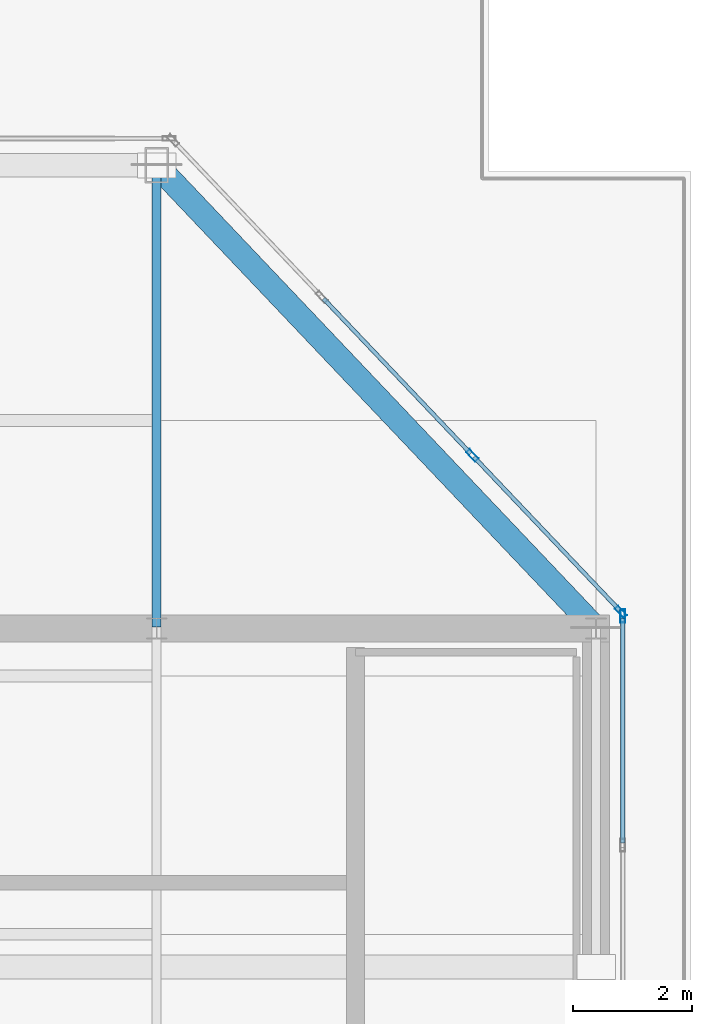
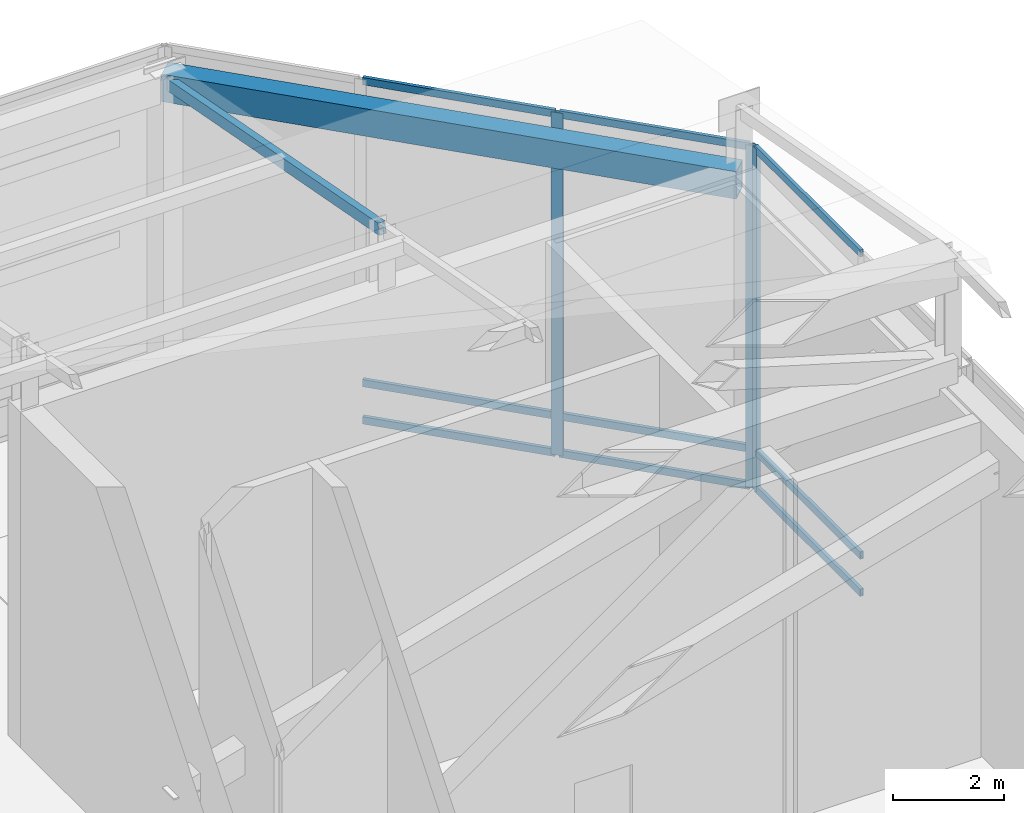
# One storey, part 16 of 25: 13 members, 1 beam, 2 elements without a shape of their own.
"""IFC4 building model written with IfcOpenShell, lengths in metres."""

from ifc_helpers import new_model, si_unit, direction, frame, origin, origin_2d, place, context, subcontext, project, spatial, hollow_rectangle, extrude, source, transform, mapped, material, layer, layer_set, material_profile, profile_set, type_object, type_shapes, element, aggregate, save


model = new_model("IFC4")

# Units and contexts
model_context = context("Model", 3, precision=1e-05, world=origin(), true_north=direction((0.0, 1.0)))
body_context = subcontext(model_context, "Body", "Model", "MODEL_VIEW")
ifc_project = project(units=[si_unit("LENGTHUNIT", "METRE"), si_unit("AREAUNIT", "SQUARE_METRE"), si_unit("VOLUMEUNIT", "CUBIC_METRE"), si_unit("PLANEANGLEUNIT", "RADIAN"), si_unit("MASSUNIT", "GRAM", prefix="KILO")], contexts=[model_context])

# Site, building, storey
site_placement = place(None, origin())
site = spatial("IfcSite", under=ifc_project, at=site_placement, CompositionType="ELEMENT")
building_placement = place(site_placement, origin())
building = spatial("IfcBuilding", under=site, at=building_placement, Name="Haelvirn Gate Laboratories", CompositionType="ELEMENT")
storey_placement = place(building_placement, frame((0.0, 0.0, 337.800048828125)))
storey = spatial("IfcBuildingStorey", under=building, at=storey_placement, Name="RF", CompositionType="ELEMENT", Elevation=337.800048828125)

# Beam
ifc_material_1 = material(Name="Steel SM420", Category="steel")
ifc_material_profile_1 = material_profile(ifc_material_1, hollow_rectangle(XDim=0.39990234375, YDim=0.60009765625, WallThickness=0.02490234375, at=origin_2d()), Name="BOX-600x400x25")
ifc_profile_set_1 = profile_set([ifc_material_profile_1], Name="Steel SM420")
beam_type = type_object("IfcBeamType", Name="BM-CROWN-CAP", PredefinedType="USERDEFINED", material=ifc_profile_set_1)
shared_shape_1 = source(origin(), body_context, "Body", "SweptSolid", [
    extrude(hollow_rectangle(XDim=0.39990234375, YDim=0.60009765625, WallThickness=0.02490234375, at=origin_2d()), origin(), (0.0, 0.0, 1.0), 10.751708984375),
])
type_shapes(beam_type, [shared_shape_1])
beam_placement = place(storey_placement, frame((67.39990234375, 33.800048828125, 7.050048828125), z_axis=(-0.688253384031, 0.725470384902, 0.0), x_axis=(-0.725470384902, -0.688253384031, 0.0)))
element("IfcBeam", 1, at=beam_placement, inside=storey, type_object=beam_type, Name="RF Crown Frame Cap Ring Beam E4-N7", ObjectType="CROWN FRAME", PredefinedType="USERDEFINED", context=body_context, shape_type="MappedRepresentation", body=[
    mapped(shared_shape_1, transform((0.0, 0.0, 0.0), scale=1.0)),
])

# Member
ifc_material_2 = material(Name="Steel SM355", Category="steel")
ifc_material_profile_2 = material_profile(ifc_material_2, hollow_rectangle(XDim=0.14990234375, YDim=0.25, WallThickness=0.010009765625, at=origin_2d()), Name="RHS-250x150x10")
ifc_profile_set_2 = profile_set([ifc_material_profile_2], Name="Steel SM355")
member_type_1 = type_object("IfcMemberType", Name="MEM-CROWN-RAF", PredefinedType="RAFTER", material=ifc_profile_set_2)
shared_shape_2 = source(origin(), body_context, "Body", "SweptSolid", [
    extrude(hollow_rectangle(XDim=0.14990234375, YDim=0.25, WallThickness=0.010009765625, at=origin_2d()), origin(), (0.0, 0.0, 1.0), 7.9375),
])
type_shapes(member_type_1, [shared_shape_2])
member_1_placement = place(storey_placement, frame((60.0, 33.800048828125, 8.571044921875), z_axis=(0.0, 0.982673493777, -0.185345096044), x_axis=(-1.0, 0.0, 0.0)))
element("IfcMember", 2, at=member_1_placement, inside=storey, type_object=member_type_1, Name="RF Vault Rafter Chord X60.0-5", PredefinedType="RAFTER", context=body_context, shape_type="MappedRepresentation", body=[
    mapped(shared_shape_2, transform((0.0, 0.0, 0.0), scale=1.0)),
])

# Curtain wall, member
ifc_material_3 = material(Name="Anodised bronze unitised aluminium & triple low-E glass", Category="aluminium")
ifc_layer = layer(ifc_material_3, 0.19189453125, Name="CW-SYS-6")
ifc_layer_set = layer_set([ifc_layer], Name="Anodised bronze unitised aluminium & triple low-E glass")
curtain_wall_type = type_object("IfcCurtainWallType", Name="CW-SYS-6", PredefinedType="NOTDEFINED", material=ifc_layer_set)
curtain_wall_1_placement = place(storey_placement, origin())
curtain_wall_1 = element("IfcCurtainWall", 3, at=curtain_wall_1_placement, inside=storey, type_object=curtain_wall_type, Name="RF Unitised Curtain Wall CW-RF-RING-02", PredefinedType="NOTDEFINED")
ifc_material_4 = material(Name="Extruded aluminium 6063-T6 (anodised bronze)", Category="aluminium")
ifc_material_profile_3 = material_profile(ifc_material_4, hollow_rectangle(XDim=0.080078125, YDim=0.219970703125, WallThickness=0.006103515625, at=origin_2d()), Name="CWM-220x80x6")
ifc_profile_set_3 = profile_set([ifc_material_profile_3], Name="Extruded aluminium 6063-T6 (anodised bronze)")
member_type_2 = type_object("IfcMemberType", Name="CWM-T220", PredefinedType="MULLION", material=ifc_profile_set_3)
shared_shape_3 = source(origin(), body_context, "Body", "SweptSolid", [
    extrude(hollow_rectangle(XDim=0.080078125, YDim=0.219970703125, WallThickness=0.006103515625, at=origin_2d()), origin(), (0.0, 0.0, 1.0), 7.5),
])
type_shapes(member_type_2, [shared_shape_3])
member_2_placement = place(storey_placement, frame((67.85009765625, 34.010009765625, 0.0), z_axis=(0.0, 0.0, 1.0), x_axis=(-1.0, 0.0, 0.0)))
member_2 = element("IfcMember", 4, at=member_2_placement, type_object=member_type_2, Name="CW6 mullion 6", PredefinedType="MULLION", context=body_context, shape_type="MappedRepresentation", body=[
    mapped(shared_shape_3, transform((0.0, 0.0, 0.0), scale=1.0)),
])

# Curtain wall, members
curtain_wall_2_placement = place(storey_placement, origin())
curtain_wall_2 = element("IfcCurtainWall", 5, at=curtain_wall_2_placement, inside=storey, type_object=curtain_wall_type, Name="RF Unitised Curtain Wall CW-RF-RING-03", PredefinedType="NOTDEFINED")
member_3_placement = place(storey_placement, frame((67.822509765625, 34.0791015625, 0.0), z_axis=(0.0, 0.0, 1.0), x_axis=(-0.72499943359, -0.68874946192, 0.0)))
member_3 = element("IfcMember", 6, at=member_3_placement, type_object=member_type_2, Name="CW6 mullion 1", PredefinedType="MULLION", context=body_context, shape_type="MappedRepresentation", body=[
    mapped(shared_shape_3, transform((0.0, 0.0, 0.0), scale=1.0)),
])
member_4_placement = place(storey_placement, frame((65.316650390625, 36.716552734375, 0.0), z_axis=(0.0, 0.0, 1.0), x_axis=(-0.72499943359, -0.68874946192, 0.0)))
member_4 = element("IfcMember", 7, at=member_4_placement, type_object=member_type_2, Name="CW6 mullion 2", PredefinedType="MULLION", context=body_context, shape_type="MappedRepresentation", body=[
    mapped(shared_shape_3, transform((0.0, 0.0, 0.0), scale=1.0)),
])
ifc_material_profile_4 = material_profile(ifc_material_4, hollow_rectangle(XDim=0.070068359375, YDim=0.159912109375, WallThickness=0.0048828125, at=origin_2d()), Name="CWT-160x70x5")
ifc_profile_set_4 = profile_set([ifc_material_profile_4], Name="Extruded aluminium 6063-T6 (anodised bronze)")
member_type_3 = type_object("IfcMemberType", Name="CWT-T160", PredefinedType="USERDEFINED", material=ifc_profile_set_4)
shared_shape_4 = source(origin(), body_context, "Body", "SweptSolid", [
    extrude(hollow_rectangle(XDim=0.070068359375, YDim=0.159912109375, WallThickness=0.0048828125, at=origin_2d()), origin(), (0.0, 0.0, 1.0), 3.558349609375),
])
member_5_placement = place(storey_placement, frame((67.794921875, 34.10791015625, 0.034912109375), z_axis=(-0.688726019915, 0.725021702773, 0.0), x_axis=(-0.725021702773, -0.688726019915, 0.0)))
member_5 = element("IfcMember", 8, at=member_5_placement, type_object=member_type_3, Name="CW6 transom 1.1", ObjectType="TRANSOM", PredefinedType="USERDEFINED", context=body_context, shape_type="MappedRepresentation", body=[
    mapped(shared_shape_4, transform((0.0, 0.0, 0.0), scale=1.0)),
])
member_6_placement = place(storey_placement, frame((67.794921875, 34.10791015625, 0.849853515625), z_axis=(-0.688726019915, 0.725021702773, 0.0), x_axis=(-0.725021702773, -0.688726019915, 0.0)))
member_6 = element("IfcMember", 9, at=member_6_placement, type_object=member_type_3, Name="CW6 transom 1.2", ObjectType="TRANSOM", PredefinedType="USERDEFINED", context=body_context, shape_type="MappedRepresentation", body=[
    mapped(shared_shape_4, transform((0.0, 0.0, 0.0), scale=1.0)),
])
member_7_placement = place(storey_placement, frame((67.794921875, 34.10791015625, 7.46484375), z_axis=(-0.688726019915, 0.725021702773, 0.0), x_axis=(-0.725021702773, -0.688726019915, 0.0)))
member_7 = element("IfcMember", 10, at=member_7_placement, type_object=member_type_3, Name="CW6 transom 1.3", ObjectType="TRANSOM", PredefinedType="USERDEFINED", context=body_context, shape_type="MappedRepresentation", body=[
    mapped(shared_shape_4, transform((0.0, 0.0, 0.0), scale=1.0)),
])
shared_shape_5 = source(origin(), body_context, "Body", "SweptSolid", [
    extrude(hollow_rectangle(XDim=0.070068359375, YDim=0.159912109375, WallThickness=0.0048828125, at=origin_2d()), origin(), (0.0, 0.0, 1.0), 3.59814453125),
])
member_8_placement = place(storey_placement, frame((65.2890625, 36.74560546875, 0.034912109375), z_axis=(-0.688758377931, 0.724990963274, 0.0), x_axis=(-0.724990963274, -0.688758377931, 0.0)))
member_8 = element("IfcMember", 11, at=member_8_placement, type_object=member_type_3, Name="CW6 transom 2.1", ObjectType="TRANSOM", PredefinedType="USERDEFINED", context=body_context, shape_type="MappedRepresentation", body=[
    mapped(shared_shape_5, transform((0.0, 0.0, 0.0), scale=1.0)),
])
member_9_placement = place(storey_placement, frame((65.2890625, 36.74560546875, 0.849853515625), z_axis=(-0.688758377931, 0.724990963274, 0.0), x_axis=(-0.724990963274, -0.688758377931, 0.0)))
member_9 = element("IfcMember", 12, at=member_9_placement, type_object=member_type_3, Name="CW6 transom 2.2", ObjectType="TRANSOM", PredefinedType="USERDEFINED", context=body_context, shape_type="MappedRepresentation", body=[
    mapped(shared_shape_5, transform((0.0, 0.0, 0.0), scale=1.0)),
])
member_10_placement = place(storey_placement, frame((65.2890625, 36.74560546875, 7.46484375), z_axis=(-0.688758377931, 0.724990963274, 0.0), x_axis=(-0.724990963274, -0.688758377931, 0.0)))
member_10 = element("IfcMember", 13, at=member_10_placement, type_object=member_type_3, Name="CW6 transom 2.3", ObjectType="TRANSOM", PredefinedType="USERDEFINED", context=body_context, shape_type="MappedRepresentation", body=[
    mapped(shared_shape_5, transform((0.0, 0.0, 0.0), scale=1.0)),
])
aggregate(curtain_wall_2, [member_3, member_4, member_5, member_6, member_7, member_8, member_9, member_10])

# Member
shared_shape_6 = source(origin(), body_context, "Body", "SweptSolid", [
    extrude(hollow_rectangle(XDim=0.070068359375, YDim=0.159912109375, WallThickness=0.0048828125, at=origin_2d()), origin(), (0.0, 0.0, 1.0), 3.780029296875),
])
type_shapes(member_type_3, [shared_shape_4, shared_shape_5, shared_shape_6])
member_11_placement = place(storey_placement, frame((67.85009765625, 30.18994140625, 0.034912109375), z_axis=(0.0, 1.0, 0.0), x_axis=(-1.0, 0.0, 0.0)))
member_11 = element("IfcMember", 14, at=member_11_placement, type_object=member_type_3, Name="CW6 transom 5.1", ObjectType="TRANSOM", PredefinedType="USERDEFINED", context=body_context, shape_type="MappedRepresentation", body=[
    mapped(shared_shape_6, transform((0.0, 0.0, 0.0), scale=1.0)),
])

member_12_placement = place(storey_placement, frame((67.85009765625, 30.18994140625, 0.849853515625), z_axis=(0.0, 1.0, 0.0), x_axis=(-1.0, 0.0, 0.0)))
member_12 = element("IfcMember", 15, at=member_12_placement, type_object=member_type_3, Name="CW6 transom 5.2", ObjectType="TRANSOM", PredefinedType="USERDEFINED", context=body_context, shape_type="MappedRepresentation", body=[
    mapped(shared_shape_6, transform((0.0, 0.0, 0.0), scale=1.0)),
])

member_13_placement = place(storey_placement, frame((67.85009765625, 30.18994140625, 7.46484375), z_axis=(0.0, 1.0, 0.0), x_axis=(-1.0, 0.0, 0.0)))
member_13 = element("IfcMember", 16, at=member_13_placement, type_object=member_type_3, Name="CW6 transom 5.3", ObjectType="TRANSOM", PredefinedType="USERDEFINED", context=body_context, shape_type="MappedRepresentation", body=[
    mapped(shared_shape_6, transform((0.0, 0.0, 0.0), scale=1.0)),
])

aggregate(curtain_wall_1, [member_2, member_11, member_12, member_13])

save(model, "model.ifc")
